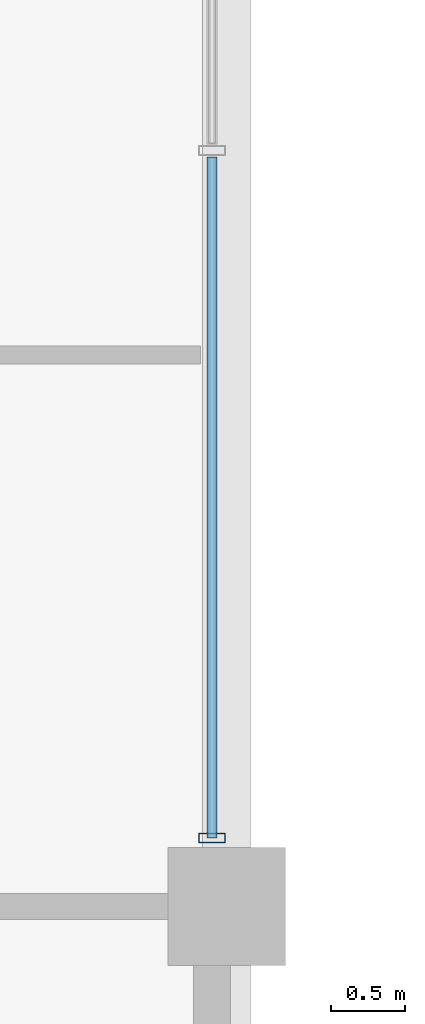
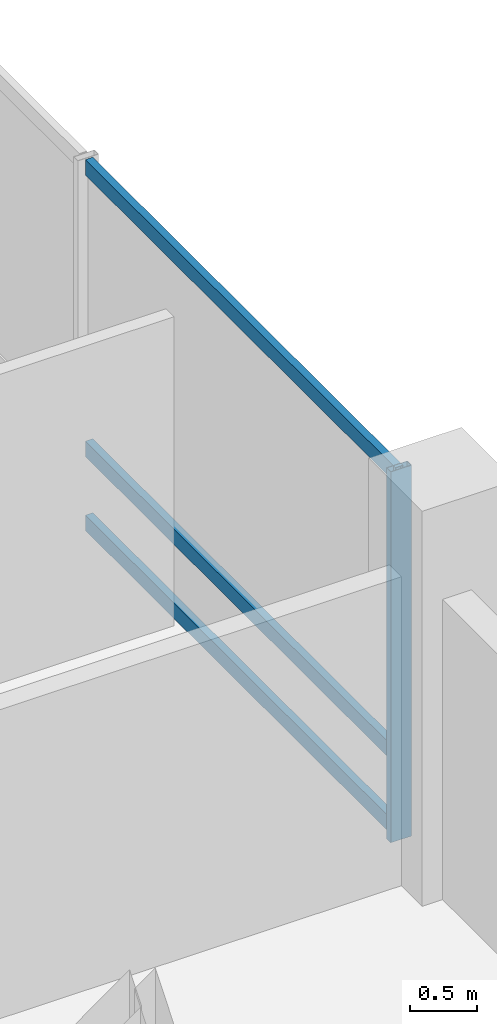
# One storey, part 8 of 24: 4 members, 1 element without a shape of its own.
"""IFC4 building model written with IfcOpenShell, lengths in metres."""

from ifc_helpers import new_model, si_unit, direction, frame, origin, origin_2d, place, context, subcontext, project, spatial, hollow_rectangle, extrude, material, layer, layer_set, material_profile, profile_set, type_object, element, aggregate, save


model = new_model("IFC4")

# Units and contexts
model_context = context("Model", 3, precision=1e-05, world=origin(), true_north=direction((0.0, 1.0)))
body_context = subcontext(model_context, "Body", "Model", "MODEL_VIEW")
ifc_project = project(units=[si_unit("LENGTHUNIT", "METRE"), si_unit("AREAUNIT", "SQUARE_METRE"), si_unit("VOLUMEUNIT", "CUBIC_METRE"), si_unit("PLANEANGLEUNIT", "RADIAN"), si_unit("MASSUNIT", "GRAM", prefix="KILO")], contexts=[model_context])

# Site, building, storey
site_placement = place(None, origin())
site = spatial("IfcSite", under=ifc_project, at=site_placement, CompositionType="ELEMENT")
building_placement = place(site_placement, origin())
building = spatial("IfcBuilding", under=site, at=building_placement, Name="Barlavira Tower and Art Museum", CompositionType="ELEMENT")
storey_placement = place(building_placement, frame((0.0, 0.0, 32.39990234375)))
storey = spatial("IfcBuildingStorey", under=building, at=storey_placement, Name="L06", CompositionType="ELEMENT", Elevation=32.39990234375)

# Curtain wall, members
ifc_material_1 = material(Name="Low-iron coastal laminated glass", Category="glass")
ifc_layer = layer(ifc_material_1, 0.179931640625, Name="Low-iron coastal laminated glass")
ifc_layer_set = layer_set([ifc_layer], Name="Low-iron coastal laminated glass")
curtain_wall_type = type_object("IfcCurtainWallType", Name="Pale-Metal Unitised Curtain Wall Zone 1", PredefinedType="NOTDEFINED", material=ifc_layer_set)
curtain_wall_placement = place(storey_placement, origin())
curtain_wall = element("IfcCurtainWall", 1, at=curtain_wall_placement, inside=storey, type_object=curtain_wall_type, Name="L06 Curtain Wall CW1-L06-E-B3", PredefinedType="NOTDEFINED")
ifc_material_2 = material(Name="Pale anodised aluminium", Category="aluminium")
ifc_material_profile_1 = material_profile(ifc_material_2, hollow_rectangle(XDim=0.06494140625, YDim=0.179931640625, WallThickness=0.00390625, at=origin_2d()), Name="ALU-MULL 65x180x4")
ifc_profile_set_1 = profile_set([ifc_material_profile_1], Name="Pale anodised aluminium")
member_type_1 = type_object("IfcMemberType", Name="Curtain Wall Pale-Metal Mullion 65x180", PredefinedType="MULLION", material=ifc_profile_set_1)
member_1_placement = place(storey_placement, frame((21.89990234375, -7.034912109375, 0.0), z_axis=(0.0, 0.0, 1.0), x_axis=(0.0, 1.0, 0.0)))
member_1 = element("IfcMember", 2, at=member_1_placement, type_object=member_type_1, Name="CW1-L06-E-B3 Mullion 0", PredefinedType="MULLION", context=body_context, shape_type="SweptSolid", body=[
    extrude(hollow_rectangle(XDim=0.06494140625, YDim=0.179931640625, WallThickness=0.00390625, at=origin_2d()), origin(), (0.0, 0.0, 1.0), 3.380126953125),
])
ifc_material_profile_2 = material_profile(ifc_material_2, hollow_rectangle(XDim=0.06494140625, YDim=0.139892578125, WallThickness=0.00390625, at=origin_2d()), Name="ALU-TRAN 65x140x4")
ifc_profile_set_2 = profile_set([ifc_material_profile_2], Name="Pale anodised aluminium")
member_type_2 = type_object("IfcMemberType", Name="Curtain Wall Pale-Metal Transom 65x140", PredefinedType="USERDEFINED", material=ifc_profile_set_2)
member_2_placement = place(storey_placement, frame((21.89990234375, -7.034912109375, 0.070068359375), z_axis=(0.0, 1.0, 0.0), x_axis=(-1.0, 0.0, 0.0)))
member_2 = element("IfcMember", 3, at=member_2_placement, type_object=member_type_2, Name="CW1-L06-E-B3 Transom 0.1", ObjectType="TRANSOM", PredefinedType="USERDEFINED", context=body_context, shape_type="SweptSolid", body=[
    extrude(hollow_rectangle(XDim=0.06494140625, YDim=0.139892578125, WallThickness=0.00390625, at=origin_2d()), origin(), (0.0, 0.0, 1.0), 4.6298828125),
])
member_3_placement = place(storey_placement, frame((21.89990234375, -7.034912109375, 0.744140625), z_axis=(0.0, 1.0, 0.0), x_axis=(-1.0, 0.0, 0.0)))
member_3 = element("IfcMember", 4, at=member_3_placement, type_object=member_type_2, Name="CW1-L06-E-B3 Transom 0.2", ObjectType="TRANSOM", PredefinedType="USERDEFINED", context=body_context, shape_type="SweptSolid", body=[
    extrude(hollow_rectangle(XDim=0.06494140625, YDim=0.139892578125, WallThickness=0.00390625, at=origin_2d()), origin(), (0.0, 0.0, 1.0), 4.6298828125),
])
member_4_placement = place(storey_placement, frame((21.89990234375, -7.034912109375, 3.31005859375), z_axis=(0.0, 1.0, 0.0), x_axis=(-1.0, 0.0, 0.0)))
member_4 = element("IfcMember", 5, at=member_4_placement, type_object=member_type_2, Name="CW1-L06-E-B3 Transom 0.3", ObjectType="TRANSOM", PredefinedType="USERDEFINED", context=body_context, shape_type="SweptSolid", body=[
    extrude(hollow_rectangle(XDim=0.06494140625, YDim=0.139892578125, WallThickness=0.00390625, at=origin_2d()), origin(), (0.0, 0.0, 1.0), 4.6298828125),
])
aggregate(curtain_wall, [member_1, member_2, member_3, member_4])

save(model, "model.ifc")
